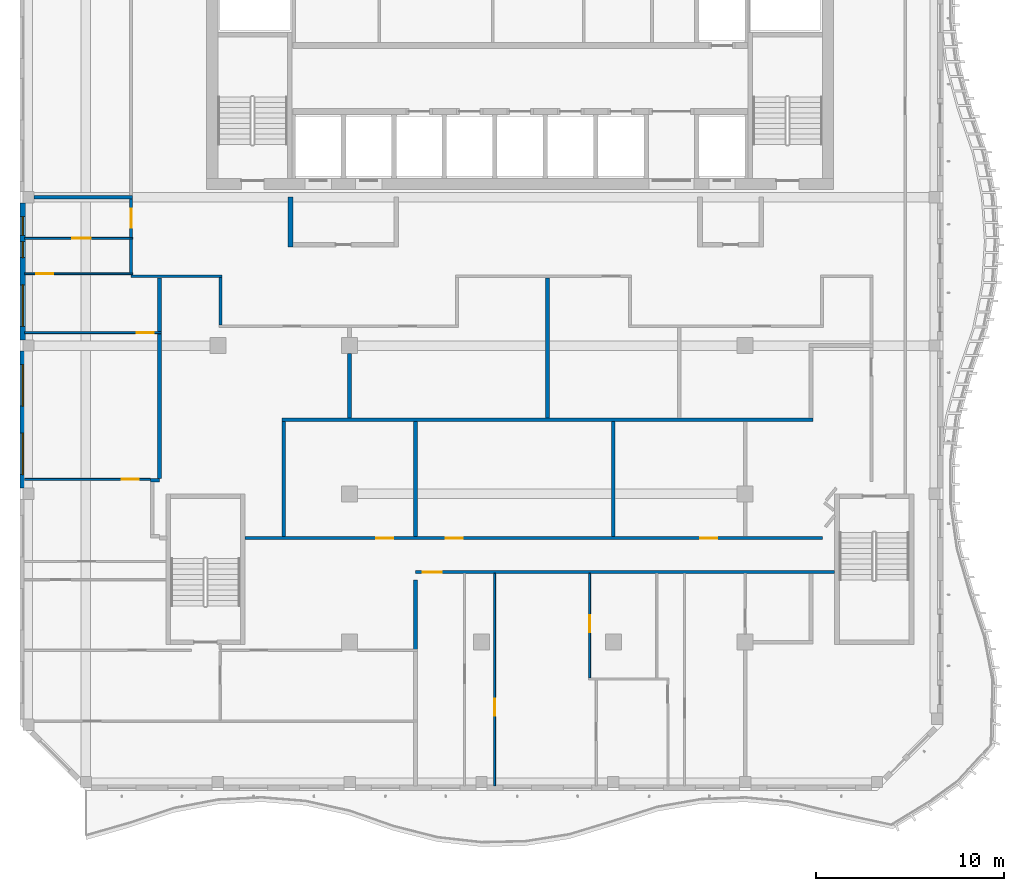
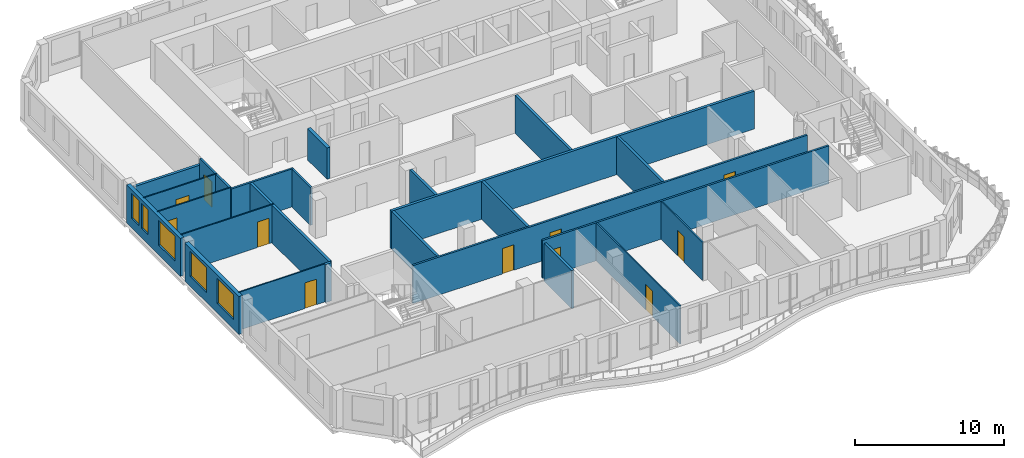
# One storey, part 3 of 17: 26 walls, 11 doors, 5 windows, 16 openings.
"""IFC4 building model written with IfcOpenShell, lengths in metres."""

from ifc_helpers import new_model, si_unit, direction, frame, frame_2d, origin, place, context, subcontext, project, spatial, rectangle, extrude, source, transform, mapped, material, layer, layer_set, type_object, element, fill, save


model = new_model("IFC4")

# Units and contexts
model_context = context("Model", 3, precision=1e-05, world=origin(), true_north=direction((0.0, 1.0)))
body_context = subcontext(model_context, "Body", "Model", "MODEL_VIEW")
ifc_project = project(units=[si_unit("LENGTHUNIT", "METRE"), si_unit("AREAUNIT", "SQUARE_METRE"), si_unit("VOLUMEUNIT", "CUBIC_METRE"), si_unit("PLANEANGLEUNIT", "RADIAN"), si_unit("MASSUNIT", "GRAM", prefix="KILO")], contexts=[model_context])

# Site, building, storey
site_placement = place(None, origin())
site = spatial("IfcSite", under=ifc_project, at=site_placement, CompositionType="ELEMENT")
building_placement = place(site_placement, origin())
building = spatial("IfcBuilding", under=site, at=building_placement, Name="Kilnfold Tower and Market Hall", CompositionType="ELEMENT")
storey_placement = place(building_placement, frame((0.0, 0.0, 305.199951171875)))
storey = spatial("IfcBuildingStorey", under=building, at=storey_placement, Name="L76", CompositionType="ELEMENT", Elevation=305.199951171875)

# Walls
ifc_material_1 = material(Name="Gypsum board on steel studs", Category="steel")
ifc_layer_1 = layer(ifc_material_1, 0.14990234375)
ifc_layer_set_1 = layer_set([ifc_layer_1], Name="Gypsum board on steel studs")
wall_type_1 = type_object("IfcWallType", Name="WALL CORRIDOR 150", PredefinedType="PARTITIONING", material=ifc_layer_set_1)
wall_1_placement = place(storey_placement, frame((-19.60009765625, 3.800048828125, 0.0), z_axis=(0.0, 0.0, 1.0), x_axis=(1.0, 0.0, 0.0)))
element("IfcWall", 1, at=wall_1_placement, inside=storey, type_object=wall_type_1, Name="Partition LY46.1", PredefinedType="PARTITIONING", context=body_context, shape_type="SweptSolid", body=[
    extrude(rectangle(XDim=4.815185546875, YDim=0.14990234375, at=frame_2d((2.40771484375, 0.0))), origin(), (0.0, 0.0, 1.0), 3.1201171875),
])
wall_2_placement = place(storey_placement, frame((-19.60009765625, 3.97802734375, 0.0), z_axis=(0.0, 0.0, 1.0), x_axis=(0.0, 1.0, 0.0)))
element("IfcWall", 2, at=wall_2_placement, inside=storey, type_object=wall_type_1, Name="Partition LY46.2", PredefinedType="PARTITIONING", context=body_context, shape_type="SweptSolid", body=[
    extrude(rectangle(XDim=1.7939453125, YDim=0.14990234375, at=frame_2d((0.89697265625, 0.0))), origin(), (0.0, 0.0, 1.0), 3.1201171875),
])

# Wall, opening, door
wall_3_placement = place(storey_placement, frame((-19.60009765625, 5.85205078125, 0.0), z_axis=(0.0, 0.0, 1.0), x_axis=(0.0, 1.0, 0.0)))
wall_3 = element("IfcWall", 3, at=wall_3_placement, inside=storey, type_object=wall_type_1, Name="Partition LY46.3", PredefinedType="PARTITIONING", context=body_context, shape_type="SweptSolid", body=[
    extrude(rectangle(XDim=2.057861328125, YDim=0.14990234375, at=frame_2d((1.02880859375, 0.0))), origin(), (0.0, 0.0, 1.0), 3.1201171875),
])
opening_1_placement = place(wall_3_placement, frame((0.529052734375, 0.0, 0.0)))
opening_1 = element("IfcOpeningElement", 4, at=opening_1_placement, cuts=wall_3, Name="Opening D1", PredefinedType="OPENING", context=body_context, shape_type="SweptSolid", body=[
    extrude(rectangle(XDim=1.0, YDim=2.10009765625, at=frame_2d((0.5, 1.050048828125))), frame((0.0, 0.0849609375, 0.0), z_axis=(0.0, -1.0, 0.0), x_axis=(1.0, 0.0, 0.0)), (0.0, 0.0, 1.0), 0.169921875),
])
ifc_material_2 = material(Name="Timber veneer door leaf in steel frame", Category="steel")
door_type_1 = type_object("IfcDoorType", Name="DOOR ENTRY 1000 X2100", OperationType="NOTDEFINED", PredefinedType="DOOR", material=ifc_material_2)
door_1_placement = place(opening_1_placement, origin())
door_1 = element("IfcDoor", 5, at=door_1_placement, inside=storey, type_object=door_type_1, Name="Door D1", OperationType="SINGLE_SWING_RIGHT", OverallHeight=2.10009765625, OverallWidth=1.0, PredefinedType="DOOR", context=body_context, shape_type="SweptSolid", body=[
    extrude(rectangle(XDim=1.0, YDim=2.10009765625, at=frame_2d((0.5, 1.050048828125))), frame((0.0, 0.02490234375, 0.0), z_axis=(0.0, -1.0, 0.0), x_axis=(1.0, 0.0, 0.0)), (0.0, 0.0, 1.0), 0.050048828125),
])
fill(opening_1, door_1)

wall_4_placement = place(storey_placement, frame((-4.510009765625, -11.89990234375, 0.0), z_axis=(0.0, 0.0, 1.0), x_axis=(1.0, 0.0, 0.0)))
wall_4 = element("IfcWall", 6, at=wall_4_placement, inside=storey, type_object=wall_type_1, Name="Partition LY46.4", PredefinedType="PARTITIONING", context=body_context, shape_type="SweptSolid", body=[
    extrude(rectangle(XDim=22.260009765625, YDim=0.14990234375, at=frame_2d((11.1298828125, 0.0))), origin(), (0.0, 0.0, 1.0), 3.1201171875),
])
opening_2_placement = place(wall_4_placement, frame((0.403076171875, 0.0, 0.0)))
opening_2 = element("IfcOpeningElement", 7, at=opening_2_placement, cuts=wall_4, Name="Opening D1", PredefinedType="OPENING", context=body_context, shape_type="SweptSolid", body=[
    extrude(rectangle(XDim=1.0, YDim=2.10009765625, at=frame_2d((0.5, 1.050048828125))), frame((0.0, 0.0849609375, 0.0), z_axis=(0.0, -1.0, 0.0), x_axis=(1.0, 0.0, 0.0)), (0.0, 0.0, 1.0), 0.169921875),
])
door_2_placement = place(opening_2_placement, origin())
door_2 = element("IfcDoor", 8, at=door_2_placement, inside=storey, type_object=door_type_1, Name="Door D1", OperationType="SINGLE_SWING_LEFT", OverallHeight=2.10009765625, OverallWidth=1.0, PredefinedType="DOOR", context=body_context, shape_type="SweptSolid", body=[
    extrude(rectangle(XDim=1.0, YDim=2.10009765625, at=frame_2d((0.5, 1.050048828125))), frame((0.0, 0.02490234375, 0.0), z_axis=(0.0, -1.0, 0.0), x_axis=(1.0, 0.0, 0.0)), (0.0, 0.0, 1.0), 0.050048828125),
])
fill(opening_2, door_2)

# Wall
wall_5_placement = place(storey_placement, frame((-14.860107421875, 3.72509765625, 0.0), z_axis=(0.0, 0.0, 1.0), x_axis=(0.0, -1.0, 0.0)))
element("IfcWall", 9, at=wall_5_placement, inside=storey, type_object=wall_type_1, Name="Partition LY46.11", PredefinedType="PARTITIONING", context=body_context, shape_type="SweptSolid", body=[
    extrude(rectangle(XDim=2.5, YDim=0.14990234375, at=frame_2d((1.25, 0.0))), origin(), (0.0, 0.0, 1.0), 3.1201171875),
])

# Wall, openings, doors
wall_6_placement = place(storey_placement, frame((-13.550048828125, -10.10009765625, 0.0), z_axis=(0.0, 0.0, 1.0), x_axis=(1.0, 0.0, 0.0)))
wall_6 = element("IfcWall", 10, at=wall_6_placement, inside=storey, type_object=wall_type_1, Name="Partition LY46.12", PredefinedType="PARTITIONING", context=body_context, shape_type="SweptSolid", body=[
    extrude(rectangle(XDim=30.650146484375, YDim=0.14990234375, at=frame_2d((15.3251953125, 0.0))), origin(), (0.0, 0.0, 1.0), 3.1201171875),
])
opening_3_placement = place(wall_6_placement, frame((6.9560546875, 0.0, 0.0)))
opening_3 = element("IfcOpeningElement", 11, at=opening_3_placement, cuts=wall_6, Name="Opening D2", PredefinedType="OPENING", context=body_context, shape_type="SweptSolid", body=[
    extrude(rectangle(XDim=0.89990234375, YDim=2.10009765625, at=frame_2d((0.449951171875, 1.050048828125))), frame((0.0, 0.0849609375, 0.0), z_axis=(0.0, -1.0, 0.0), x_axis=(1.0, 0.0, 0.0)), (0.0, 0.0, 1.0), 0.169921875),
])
opening_4_placement = place(wall_6_placement, frame((10.64306640625, 0.0, 0.0)))
opening_4 = element("IfcOpeningElement", 12, at=opening_4_placement, cuts=wall_6, Name="Opening D2", PredefinedType="OPENING", context=body_context, shape_type="SweptSolid", body=[
    extrude(rectangle(XDim=0.89990234375, YDim=2.10009765625, at=frame_2d((0.449951171875, 1.050048828125))), frame((0.0, 0.0849609375, 0.0), z_axis=(0.0, -1.0, 0.0), x_axis=(1.0, 0.0, 0.0)), (0.0, 0.0, 1.0), 0.169921875),
])
opening_5_placement = place(wall_6_placement, frame((24.155029296875, 0.0, 0.0)))
opening_5 = element("IfcOpeningElement", 13, at=opening_5_placement, cuts=wall_6, Name="Opening D2", PredefinedType="OPENING", context=body_context, shape_type="SweptSolid", body=[
    extrude(rectangle(XDim=0.89990234375, YDim=2.10009765625, at=frame_2d((0.449951171875, 1.050048828125))), frame((0.0, 0.0849609375, 0.0), z_axis=(0.0, -1.0, 0.0), x_axis=(1.0, 0.0, 0.0)), (0.0, 0.0, 1.0), 0.169921875),
])
ifc_material_3 = material(Name="Timber veneer door leaf in steel frame", Category="steel")
door_type_2 = type_object("IfcDoorType", Name="DOOR ROOM 900 X2100", OperationType="NOTDEFINED", PredefinedType="DOOR", material=ifc_material_3)
door_3_placement = place(opening_3_placement, origin())
door_3 = element("IfcDoor", 14, at=door_3_placement, inside=storey, type_object=door_type_2, Name="Door D2", OperationType="SINGLE_SWING_LEFT", OverallHeight=2.10009765625, OverallWidth=0.89990234375, PredefinedType="DOOR", context=body_context, shape_type="SweptSolid", body=[
    extrude(rectangle(XDim=0.89990234375, YDim=2.10009765625, at=frame_2d((0.449951171875, 1.050048828125))), frame((0.0, 0.02490234375, 0.0), z_axis=(0.0, -1.0, 0.0), x_axis=(1.0, 0.0, 0.0)), (0.0, 0.0, 1.0), 0.050048828125),
])
fill(opening_3, door_3)
door_4_placement = place(opening_4_placement, origin())
door_4 = element("IfcDoor", 15, at=door_4_placement, inside=storey, type_object=door_type_2, Name="Door D2", OperationType="SINGLE_SWING_LEFT", OverallHeight=2.10009765625, OverallWidth=0.89990234375, PredefinedType="DOOR", context=body_context, shape_type="SweptSolid", body=[
    extrude(rectangle(XDim=0.89990234375, YDim=2.10009765625, at=frame_2d((0.449951171875, 1.050048828125))), frame((0.0, 0.02490234375, 0.0), z_axis=(0.0, -1.0, 0.0), x_axis=(1.0, 0.0, 0.0)), (0.0, 0.0, 1.0), 0.050048828125),
])
fill(opening_4, door_4)
door_5_placement = place(opening_5_placement, origin())
door_5 = element("IfcDoor", 16, at=door_5_placement, inside=storey, type_object=door_type_2, Name="Door D2", OperationType="SINGLE_SWING_RIGHT", OverallHeight=2.10009765625, OverallWidth=0.89990234375, PredefinedType="DOOR", context=body_context, shape_type="SweptSolid", body=[
    extrude(rectangle(XDim=0.89990234375, YDim=2.10009765625, at=frame_2d((0.449951171875, 1.050048828125))), frame((0.0, 0.02490234375, 0.0), z_axis=(0.0, -1.0, 0.0), x_axis=(1.0, 0.0, 0.0)), (0.0, 0.0, 1.0), 0.050048828125),
])
fill(opening_5, door_5)

# Wall, opening, door
ifc_material_4 = material(Name="Gypsum board on steel studs", Category="steel")
ifc_layer_2 = layer(ifc_material_4, 0.10009765625)
ifc_layer_set_2 = layer_set([ifc_layer_2], Name="Gypsum board on steel studs")
wall_type_2 = type_object("IfcWallType", Name="WALL PARTITION 100", PredefinedType="PARTITIONING", material=ifc_layer_set_2)
wall_7_placement = place(storey_placement, frame((-18.58203125, -6.98095703125, 0.0), z_axis=(0.0, 0.0, 1.0), x_axis=(-1.0, 0.0, 0.0)))
wall_7 = element("IfcWall", 17, at=wall_7_placement, inside=storey, type_object=wall_type_2, Name="Partition LY46.35", PredefinedType="PARTITIONING", context=body_context, shape_type="SweptSolid", body=[
    extrude(rectangle(XDim=6.66796875, YDim=0.10009765625, at=frame_2d((3.333984375, 0.0))), origin(), (0.0, 0.0, 1.0), 3.1201171875),
])
opening_6_placement = place(wall_7_placement, frame((0.6259765625, 0.0, 0.0)))
opening_6 = element("IfcOpeningElement", 18, at=opening_6_placement, cuts=wall_7, Name="Opening D2", PredefinedType="OPENING", context=body_context, shape_type="SweptSolid", body=[
    extrude(rectangle(XDim=0.89990234375, YDim=2.10009765625, at=frame_2d((0.449951171875, 1.050048828125))), frame((0.0, 0.06005859375, 0.0), z_axis=(0.0, -1.0, 0.0), x_axis=(1.0, 0.0, 0.0)), (0.0, 0.0, 1.0), 0.1201171875),
])
door_6_placement = place(opening_6_placement, origin())
door_6 = element("IfcDoor", 19, at=door_6_placement, inside=storey, type_object=door_type_2, Name="Door D2", OperationType="SINGLE_SWING_RIGHT", OverallHeight=2.10009765625, OverallWidth=0.89990234375, PredefinedType="DOOR", context=body_context, shape_type="SweptSolid", body=[
    extrude(rectangle(XDim=0.89990234375, YDim=2.10009765625, at=frame_2d((0.449951171875, 1.050048828125))), frame((0.0, 0.02490234375, 0.0), z_axis=(0.0, -1.0, 0.0), x_axis=(1.0, 0.0, 0.0)), (0.0, 0.0, 1.0), 0.050048828125),
])
fill(opening_6, door_6)

wall_8_placement = place(storey_placement, frame((-18.0, 0.81201171875, 0.0), z_axis=(0.0, 0.0, 1.0), x_axis=(-1.0, 0.0, 0.0)))
wall_8 = element("IfcWall", 20, at=wall_8_placement, inside=storey, type_object=wall_type_2, Name="Partition LY46.40", PredefinedType="PARTITIONING", context=body_context, shape_type="SweptSolid", body=[
    extrude(rectangle(XDim=7.25, YDim=0.10009765625, at=frame_2d((3.625, 0.0))), origin(), (0.0, 0.0, 1.0), 3.1201171875),
])
opening_7_placement = place(wall_8_placement, frame((0.402099609375, 0.0, 0.0)))
opening_7 = element("IfcOpeningElement", 21, at=opening_7_placement, cuts=wall_8, Name="Opening D2", PredefinedType="OPENING", context=body_context, shape_type="SweptSolid", body=[
    extrude(rectangle(XDim=0.89990234375, YDim=2.10009765625, at=frame_2d((0.449951171875, 1.050048828125))), frame((0.0, 0.06005859375, 0.0), z_axis=(0.0, -1.0, 0.0), x_axis=(1.0, 0.0, 0.0)), (0.0, 0.0, 1.0), 0.1201171875),
])
door_7_placement = place(opening_7_placement, origin())
door_7 = element("IfcDoor", 22, at=door_7_placement, inside=storey, type_object=door_type_2, Name="Door D2", OperationType="SINGLE_SWING_RIGHT", OverallHeight=2.10009765625, OverallWidth=0.89990234375, PredefinedType="DOOR", context=body_context, shape_type="SweptSolid", body=[
    extrude(rectangle(XDim=0.89990234375, YDim=2.10009765625, at=frame_2d((0.449951171875, 1.050048828125))), frame((0.0, 0.02490234375, 0.0), z_axis=(0.0, -1.0, 0.0), x_axis=(1.0, 0.0, 0.0)), (0.0, 0.0, 1.0), 0.050048828125),
])
fill(opening_7, door_7)

wall_9_placement = place(storey_placement, frame((-19.527099609375, 3.93798828125, 0.0), z_axis=(0.0, 0.0, 1.0), x_axis=(-1.0, 0.0, 0.0)))
wall_9 = element("IfcWall", 23, at=wall_9_placement, inside=storey, type_object=wall_type_2, Name="Partition LY46.42", PredefinedType="PARTITIONING", context=body_context, shape_type="SweptSolid", body=[
    extrude(rectangle(XDim=5.722900390625, YDim=0.10009765625, at=frame_2d((2.861328125, 0.0))), origin(), (0.0, 0.0, 1.0), 3.1201171875),
])
opening_8_placement = place(wall_9_placement, frame((4.220947265625, 0.0, 0.0)))
opening_8 = element("IfcOpeningElement", 24, at=opening_8_placement, cuts=wall_9, Name="Opening D2", PredefinedType="OPENING", context=body_context, shape_type="SweptSolid", body=[
    extrude(rectangle(XDim=0.89990234375, YDim=2.10009765625, at=frame_2d((0.449951171875, 1.050048828125))), frame((0.0, 0.06005859375, 0.0), z_axis=(0.0, -1.0, 0.0), x_axis=(1.0, 0.0, 0.0)), (0.0, 0.0, 1.0), 0.1201171875),
])
door_8_placement = place(opening_8_placement, origin())
door_8 = element("IfcDoor", 25, at=door_8_placement, inside=storey, type_object=door_type_2, Name="Door D2", OperationType="SINGLE_SWING_RIGHT", OverallHeight=2.10009765625, OverallWidth=0.89990234375, PredefinedType="DOOR", context=body_context, shape_type="SweptSolid", body=[
    extrude(rectangle(XDim=0.89990234375, YDim=2.10009765625, at=frame_2d((0.449951171875, 1.050048828125))), frame((0.0, 0.02490234375, 0.0), z_axis=(0.0, -1.0, 0.0), x_axis=(1.0, 0.0, 0.0)), (0.0, 0.0, 1.0), 0.050048828125),
])
fill(opening_8, door_8)

wall_10_placement = place(storey_placement, frame((-19.527099609375, 5.81201171875, 0.0), z_axis=(0.0, 0.0, 1.0), x_axis=(-1.0, 0.0, 0.0)))
wall_10 = element("IfcWall", 26, at=wall_10_placement, inside=storey, type_object=wall_type_2, Name="Partition LY46.44", PredefinedType="PARTITIONING", context=body_context, shape_type="SweptSolid", body=[
    extrude(rectangle(XDim=5.722900390625, YDim=0.10009765625, at=frame_2d((2.861328125, 0.0))), origin(), (0.0, 0.0, 1.0), 3.1201171875),
])
opening_9_placement = place(wall_10_placement, frame((2.2109375, 0.0, 0.0)))
opening_9 = element("IfcOpeningElement", 27, at=opening_9_placement, cuts=wall_10, Name="Opening D1", PredefinedType="OPENING", context=body_context, shape_type="SweptSolid", body=[
    extrude(rectangle(XDim=1.0, YDim=2.10009765625, at=frame_2d((0.5, 1.050048828125))), frame((0.0, 0.06005859375, 0.0), z_axis=(0.0, -1.0, 0.0), x_axis=(1.0, 0.0, 0.0)), (0.0, 0.0, 1.0), 0.1201171875),
])
door_9_placement = place(opening_9_placement, origin())
door_9 = element("IfcDoor", 28, at=door_9_placement, inside=storey, type_object=door_type_1, Name="Door D1", OperationType="SINGLE_SWING_RIGHT", OverallHeight=2.10009765625, OverallWidth=1.0, PredefinedType="DOOR", context=body_context, shape_type="SweptSolid", body=[
    extrude(rectangle(XDim=1.0, YDim=2.10009765625, at=frame_2d((0.5, 1.050048828125))), frame((0.0, 0.02490234375, 0.0), z_axis=(0.0, -1.0, 0.0), x_axis=(1.0, 0.0, 0.0)), (0.0, 0.0, 1.0), 0.050048828125),
])
fill(opening_9, door_9)

wall_11_placement = place(storey_placement, frame((-0.300048828125, -23.25, 0.0), z_axis=(0.0, 0.0, 1.0), x_axis=(0.0, 1.0, 0.0)))
wall_11 = element("IfcWall", 29, at=wall_11_placement, inside=storey, type_object=wall_type_2, Name="Partition LY46.47", PredefinedType="PARTITIONING", context=body_context, shape_type="SweptSolid", body=[
    extrude(rectangle(XDim=11.27294921875, YDim=0.10009765625, at=frame_2d((5.636474609375, 0.0))), origin(), (0.0, 0.0, 1.0), 3.1201171875),
])
opening_10_placement = place(wall_11_placement, frame((3.72607421875, 0.0, 0.0)))
opening_10 = element("IfcOpeningElement", 30, at=opening_10_placement, cuts=wall_11, Name="Opening D2", PredefinedType="OPENING", context=body_context, shape_type="SweptSolid", body=[
    extrude(rectangle(XDim=0.89990234375, YDim=2.10009765625, at=frame_2d((0.449951171875, 1.050048828125))), frame((0.0, 0.06005859375, 0.0), z_axis=(0.0, -1.0, 0.0), x_axis=(1.0, 0.0, 0.0)), (0.0, 0.0, 1.0), 0.1201171875),
])
door_10_placement = place(opening_10_placement, origin())
door_10 = element("IfcDoor", 31, at=door_10_placement, inside=storey, type_object=door_type_2, Name="Door D2", OperationType="SINGLE_SWING_RIGHT", OverallHeight=2.10009765625, OverallWidth=0.89990234375, PredefinedType="DOOR", context=body_context, shape_type="SweptSolid", body=[
    extrude(rectangle(XDim=0.89990234375, YDim=2.10009765625, at=frame_2d((0.449951171875, 1.050048828125))), frame((0.0, 0.02490234375, 0.0), z_axis=(0.0, -1.0, 0.0), x_axis=(1.0, 0.0, 0.0)), (0.0, 0.0, 1.0), 0.050048828125),
])
fill(opening_10, door_10)

wall_12_placement = place(storey_placement, frame((4.739990234375, -17.52587890625, 0.0), z_axis=(0.0, 0.0, 1.0), x_axis=(0.0, 1.0, 0.0)))
wall_12 = element("IfcWall", 32, at=wall_12_placement, inside=storey, type_object=wall_type_2, Name="Partition LY46.49", PredefinedType="PARTITIONING", context=body_context, shape_type="SweptSolid", body=[
    extrude(rectangle(XDim=5.548828125, YDim=0.10009765625, at=frame_2d((2.7744140625, 0.0))), origin(), (0.0, 0.0, 1.0), 3.1201171875),
])
opening_11_placement = place(wall_12_placement, frame((2.426025390625, 0.0, 0.0)))
opening_11 = element("IfcOpeningElement", 33, at=opening_11_placement, cuts=wall_12, Name="Opening D2", PredefinedType="OPENING", context=body_context, shape_type="SweptSolid", body=[
    extrude(rectangle(XDim=0.89990234375, YDim=2.10009765625, at=frame_2d((0.449951171875, 1.050048828125))), frame((0.0, 0.06005859375, 0.0), z_axis=(0.0, -1.0, 0.0), x_axis=(1.0, 0.0, 0.0)), (0.0, 0.0, 1.0), 0.1201171875),
])
door_11_placement = place(opening_11_placement, origin())
door_11 = element("IfcDoor", 34, at=door_11_placement, inside=storey, type_object=door_type_2, Name="Door D2", OperationType="SINGLE_SWING_LEFT", OverallHeight=2.10009765625, OverallWidth=0.89990234375, PredefinedType="DOOR", context=body_context, shape_type="SweptSolid", body=[
    extrude(rectangle(XDim=0.89990234375, YDim=2.10009765625, at=frame_2d((0.449951171875, 1.050048828125))), frame((0.0, 0.02490234375, 0.0), z_axis=(0.0, -1.0, 0.0), x_axis=(1.0, 0.0, 0.0)), (0.0, 0.0, 1.0), 0.050048828125),
])
fill(opening_11, door_11)

# Walls
ifc_material_5 = material(Name="Gypsum board on steel studs", Category="steel")
ifc_layer_3 = layer(ifc_material_5, 0.199951171875)
ifc_layer_set_3 = layer_set([ifc_layer_3], Name="Gypsum board on steel studs")
wall_type_3 = type_object("IfcWallType", Name="WALL PARTY 200", PredefinedType="PARTITIONING", material=ifc_layer_set_3)
wall_13_placement = place(storey_placement, frame((-4.5, -16.011962890625, 0.0), z_axis=(0.0, 0.0, 1.0), x_axis=(0.0, 1.0, 0.0)))
element("IfcWall", 35, at=wall_13_placement, inside=storey, type_object=wall_type_3, Name="Partition LY46.33", PredefinedType="PARTITIONING", context=body_context, shape_type="SweptSolid", body=[
    extrude(rectangle(XDim=3.699951171875, YDim=0.199951171875, at=frame_2d((1.85009765625, 0.0))), origin(), (0.0, 0.0, 1.0), 3.1201171875),
])
wall_14_placement = place(storey_placement, frame((-18.58203125, -7.029052734375, 0.0), z_axis=(0.0, 0.0, 1.0), x_axis=(1.0, 0.0, 0.0)))
element("IfcWall", 36, at=wall_14_placement, inside=storey, type_object=wall_type_3, Name="Partition LY46.36", PredefinedType="PARTITIONING", context=body_context, shape_type="SweptSolid", body=[
    extrude(rectangle(XDim=0.48193359375, YDim=0.199951171875, at=frame_2d((0.240966796875, 0.0))), origin(), (0.0, 0.0, 1.0), 3.1201171875),
])
wall_15_placement = place(storey_placement, frame((-18.10009765625, -6.930908203125, 0.0), z_axis=(0.0, 0.0, 1.0), x_axis=(0.0, 1.0, 0.0)))
element("IfcWall", 37, at=wall_15_placement, inside=storey, type_object=wall_type_3, Name="Partition LY46.41", PredefinedType="PARTITIONING", context=body_context, shape_type="SweptSolid", body=[
    extrude(rectangle(XDim=7.69287109375, YDim=0.199951171875, at=frame_2d((3.846435546875, 0.0))), origin(), (0.0, 0.0, 1.0), 3.1201171875),
])
wall_16_placement = place(storey_placement, frame((-18.10009765625, 0.862060546875, 0.0), z_axis=(0.0, 0.0, 1.0), x_axis=(0.0, 1.0, 0.0)))
element("IfcWall", 38, at=wall_16_placement, inside=storey, type_object=wall_type_3, Name="Partition LY46.43", PredefinedType="PARTITIONING", context=body_context, shape_type="SweptSolid", body=[
    extrude(rectangle(XDim=2.86083984375, YDim=0.199951171875, at=frame_2d((1.430419921875, 0.0))), origin(), (0.0, 0.0, 1.0), 3.1201171875),
])
wall_17_placement = place(storey_placement, frame((-19.527099609375, 8.0, 0.0), z_axis=(0.0, 0.0, 1.0), x_axis=(-1.0, 0.0, 0.0)))
element("IfcWall", 39, at=wall_17_placement, inside=storey, type_object=wall_type_3, Name="Partition LY46.45", PredefinedType="PARTITIONING", context=body_context, shape_type="SweptSolid", body=[
    extrude(rectangle(XDim=5.222900390625, YDim=0.199951171875, at=frame_2d((2.611328125, 0.0))), origin(), (0.0, 0.0, 1.0), 2.570068359375),
])
wall_18_placement = place(storey_placement, frame((-8.0, -3.7119140625, 0.0), z_axis=(0.0, 0.0, 1.0), x_axis=(0.0, 1.0, 0.0)))
element("IfcWall", 40, at=wall_18_placement, inside=storey, type_object=wall_type_3, Name="Partition LY46.61", PredefinedType="PARTITIONING", context=body_context, shape_type="SweptSolid", body=[
    extrude(rectangle(XDim=3.411865234375, YDim=0.199951171875, at=frame_2d((1.7060546875, 0.0))), origin(), (0.0, 0.0, 1.0), 3.1201171875),
])
wall_19_placement = place(storey_placement, frame((-11.60009765625, -3.81201171875, 0.0), z_axis=(0.0, 0.0, 1.0), x_axis=(1.0, 0.0, 0.0)))
element("IfcWall", 41, at=wall_19_placement, inside=storey, type_object=wall_type_3, Name="Partition LY46.62", PredefinedType="PARTITIONING", context=body_context, shape_type="SweptSolid", body=[
    extrude(rectangle(XDim=28.2001953125, YDim=0.199951171875, at=frame_2d((14.10009765625, 0.0))), origin(), (0.0, 0.0, 1.0), 3.1201171875),
])
wall_20_placement = place(storey_placement, frame((-11.5, -10.02294921875, 0.0), z_axis=(0.0, 0.0, 1.0), x_axis=(0.0, 1.0, 0.0)))
element("IfcWall", 42, at=wall_20_placement, inside=storey, type_object=wall_type_3, Name="Partition LY46.63", PredefinedType="PARTITIONING", context=body_context, shape_type="SweptSolid", body=[
    extrude(rectangle(XDim=6.11083984375, YDim=0.199951171875, at=frame_2d((3.055419921875, 0.0))), origin(), (0.0, 0.0, 1.0), 3.1201171875),
])
wall_21_placement = place(storey_placement, frame((2.5, -3.7119140625, 0.0), z_axis=(0.0, 0.0, 1.0), x_axis=(0.0, 1.0, 0.0)))
element("IfcWall", 43, at=wall_21_placement, inside=storey, type_object=wall_type_3, Name="Partition LY46.64", PredefinedType="PARTITIONING", context=body_context, shape_type="SweptSolid", body=[
    extrude(rectangle(XDim=7.434814453125, YDim=0.199951171875, at=frame_2d((3.71728515625, 0.0))), origin(), (0.0, 0.0, 1.0), 3.1201171875),
])
for number, where, z_axis, x_axis, name in (
    (44, (-4.5, -10.02294921875, 0.0), (0.0, 0.0, 1.0), (0.0, 1.0, 0.0), "Partition LY46.65"),
    (45, (6.0, -10.02294921875, 0.0), (0.0, 0.0, 1.0), (0.0, 1.0, 0.0), "Partition LY46.66"),
):
    element("IfcWall", number, at=place(storey_placement, frame(where, z_axis=z_axis, x_axis=x_axis)), inside=storey, type_object=wall_type_3, Name=name, PredefinedType="PARTITIONING", context=body_context, shape_type="SweptSolid", body=[
        extrude(rectangle(XDim=6.11083984375, YDim=0.199951171875, at=frame_2d((3.055419921875, 0.0))), origin(), (0.0, 0.0, 1.0), 3.1201171875),
    ])

# Wall, openings, windows
ifc_material_6 = material(Name="Precast concrete C50/60", Category="concrete")
ifc_layer_4 = layer(ifc_material_6, 0.300048828125)
ifc_layer_set_4 = layer_set([ifc_layer_4], Name="Precast concrete C50/60")
wall_type_4 = type_object("IfcWallType", Name="PRECAST WALL 300", PredefinedType="SOLIDWALL", material=ifc_layer_set_4)
shared_shape_1 = source(origin(), body_context, "Body", "SweptSolid", [
    extrude(rectangle(XDim=7.27490234375, YDim=0.300048828125, at=frame_2d((3.637451171875, 0.0))), origin(), (0.0, 0.0, 1.0), 3.1201171875),
])
wall_22_placement = place(storey_placement, frame((-25.35009765625, 7.699951171875, 0.0), z_axis=(0.0, 0.0, 1.0), x_axis=(0.0, -1.0, 0.0)))
wall_22 = element("IfcWall", 46, at=wall_22_placement, inside=storey, type_object=wall_type_4, Name="External wall L76 W", PredefinedType="SOLIDWALL", context=body_context, shape_type="MappedRepresentation", body=[
    mapped(shared_shape_1, transform((0.0, 0.0, 0.0))),
])
opening_12_placement = place(wall_22_placement, frame((0.728271484375, 0.0, 0.800048828125)))
opening_12 = element("IfcOpeningElement", 47, at=opening_12_placement, cuts=wall_22, Name="Opening W3-A", PredefinedType="OPENING", context=body_context, shape_type="SweptSolid", body=[
    extrude(rectangle(XDim=1.0, YDim=2.050048828125, at=frame_2d((0.5, 1.02490234375))), frame((0.0, 0.16015625, 0.0), z_axis=(0.0, -1.0, 0.0), x_axis=(1.0, 0.0, 0.0)), (0.0, 0.0, 1.0), 0.320068359375),
])
opening_13_placement = place(wall_22_placement, frame((4.356201171875, 0.0, 0.800048828125)))
opening_13 = element("IfcOpeningElement", 48, at=opening_13_placement, cuts=wall_22, Name="Opening W3", PredefinedType="OPENING", context=body_context, shape_type="SweptSolid", body=[
    extrude(rectangle(XDim=2.199951171875, YDim=2.050048828125, at=frame_2d((1.10009765625, 1.02490234375))), frame((0.0, 0.16015625, 0.0), z_axis=(0.0, -1.0, 0.0), x_axis=(1.0, 0.0, 0.0)), (0.0, 0.0, 1.0), 0.320068359375),
])
opening_14_placement = place(wall_22_placement, frame((2.053466796875, 0.0, 0.800048828125)))
opening_14 = element("IfcOpeningElement", 49, at=opening_14_placement, cuts=wall_22, Name="Opening W3-B", PredefinedType="OPENING", context=body_context, shape_type="SweptSolid", body=[
    extrude(rectangle(XDim=0.85009765625, YDim=2.050048828125, at=frame_2d((0.425048828125, 1.02490234375))), frame((0.0, 0.16015625, 0.0), z_axis=(0.0, -1.0, 0.0), x_axis=(1.0, 0.0, 0.0)), (0.0, 0.0, 1.0), 0.320068359375),
])
ifc_material_7 = material(Name="Aluminium frame and double glazing", Category="aluminium")
window_type_1 = type_object("IfcWindowType", Name="WINDOW W3 2200X2050", PartitioningType="SINGLE_PANEL", PredefinedType="WINDOW", material=ifc_material_7)
window_1_placement = place(opening_13_placement, origin())
window_1 = element("IfcWindow", 50, at=window_1_placement, inside=storey, type_object=window_type_1, Name="Window W3 L76 W-2", OverallHeight=2.050048828125, OverallWidth=2.199951171875, PartitioningType="SINGLE_PANEL", PredefinedType="WINDOW", context=body_context, shape_type="SweptSolid", body=[
    extrude(rectangle(XDim=2.199951171875, YDim=2.050048828125, at=frame_2d((1.10009765625, 1.02490234375))), frame((0.0, 0.030029296875, 0.0), z_axis=(0.0, -1.0, 0.0), x_axis=(1.0, 0.0, 0.0)), (0.0, 0.0, 1.0), 0.06005859375),
])
fill(opening_13, window_1)
ifc_material_8 = material(Name="Aluminium frame and double glazing", Category="aluminium")
window_type_2 = type_object("IfcWindowType", Name="WINDOW W3-A 1000X2050", PartitioningType="SINGLE_PANEL", PredefinedType="WINDOW", material=ifc_material_8)
window_2_placement = place(opening_12_placement, origin())
window_2 = element("IfcWindow", 51, at=window_2_placement, inside=storey, type_object=window_type_2, Name="Window W3-A L76 W-1", OverallHeight=2.050048828125, OverallWidth=1.0, PartitioningType="SINGLE_PANEL", PredefinedType="WINDOW", context=body_context, shape_type="SweptSolid", body=[
    extrude(rectangle(XDim=1.0, YDim=2.050048828125, at=frame_2d((0.5, 1.02490234375))), frame((0.0, 0.030029296875, 0.0), z_axis=(0.0, -1.0, 0.0), x_axis=(1.0, 0.0, 0.0)), (0.0, 0.0, 1.0), 0.06005859375),
])
fill(opening_12, window_2)
ifc_material_9 = material(Name="Aluminium frame and double glazing", Category="aluminium")
window_type_3 = type_object("IfcWindowType", Name="WINDOW W3-B 850X2050", PartitioningType="SINGLE_PANEL", PredefinedType="WINDOW", material=ifc_material_9)
window_3_placement = place(opening_14_placement, origin())
window_3 = element("IfcWindow", 52, at=window_3_placement, inside=storey, type_object=window_type_3, Name="Window W3-A L76 W-1", OverallHeight=2.050048828125, OverallWidth=0.85009765625, PartitioningType="SINGLE_PANEL", PredefinedType="WINDOW", context=body_context, shape_type="SweptSolid", body=[
    extrude(rectangle(XDim=0.85009765625, YDim=2.050048828125, at=frame_2d((0.425048828125, 1.02490234375))), frame((0.0, 0.030029296875, 0.0), z_axis=(0.0, -1.0, 0.0), x_axis=(1.0, 0.0, 0.0)), (0.0, 0.0, 1.0), 0.06005859375),
])
fill(opening_14, window_3)

wall_23_placement = place(storey_placement, frame((-25.35009765625, -0.175048828125, 0.0), z_axis=(0.0, 0.0, 1.0), x_axis=(0.0, -1.0, 0.0)))
wall_23 = element("IfcWall", 53, at=wall_23_placement, inside=storey, type_object=wall_type_4, Name="External wall L76 W", PredefinedType="SOLIDWALL", context=body_context, shape_type="MappedRepresentation", body=[
    mapped(shared_shape_1, transform((0.0, 0.0, 0.0))),
])
opening_15_placement = place(wall_23_placement, frame((0.71875, 0.0, 0.800048828125)))
opening_15 = element("IfcOpeningElement", 54, at=opening_15_placement, cuts=wall_23, Name="Opening W3", PredefinedType="OPENING", context=body_context, shape_type="SweptSolid", body=[
    extrude(rectangle(XDim=2.199951171875, YDim=2.050048828125, at=frame_2d((1.10009765625, 1.02490234375))), frame((0.0, 0.16015625, 0.0), z_axis=(0.0, -1.0, 0.0), x_axis=(1.0, 0.0, 0.0)), (0.0, 0.0, 1.0), 0.320068359375),
])
opening_16_placement = place(wall_23_placement, frame((4.356201171875, 0.0, 0.800048828125)))
opening_16 = element("IfcOpeningElement", 55, at=opening_16_placement, cuts=wall_23, Name="Opening W3", PredefinedType="OPENING", context=body_context, shape_type="SweptSolid", body=[
    extrude(rectangle(XDim=2.199951171875, YDim=2.050048828125, at=frame_2d((1.10009765625, 1.02490234375))), frame((0.0, 0.16015625, 0.0), z_axis=(0.0, -1.0, 0.0), x_axis=(1.0, 0.0, 0.0)), (0.0, 0.0, 1.0), 0.320068359375),
])
window_4_placement = place(opening_15_placement, origin())
window_4 = element("IfcWindow", 56, at=window_4_placement, inside=storey, type_object=window_type_1, Name="Window W3 L76 W-1", OverallHeight=2.050048828125, OverallWidth=2.199951171875, PartitioningType="SINGLE_PANEL", PredefinedType="WINDOW", context=body_context, shape_type="SweptSolid", body=[
    extrude(rectangle(XDim=2.199951171875, YDim=2.050048828125, at=frame_2d((1.10009765625, 1.02490234375))), frame((0.0, 0.030029296875, 0.0), z_axis=(0.0, -1.0, 0.0), x_axis=(1.0, 0.0, 0.0)), (0.0, 0.0, 1.0), 0.06005859375),
])
fill(opening_15, window_4)
window_5_placement = place(opening_16_placement, origin())
window_5 = element("IfcWindow", 57, at=window_5_placement, inside=storey, type_object=window_type_1, Name="Window W3 L76 W-2", OverallHeight=2.050048828125, OverallWidth=2.199951171875, PartitioningType="SINGLE_PANEL", PredefinedType="WINDOW", context=body_context, shape_type="SweptSolid", body=[
    extrude(rectangle(XDim=2.199951171875, YDim=2.050048828125, at=frame_2d((1.10009765625, 1.02490234375))), frame((0.0, 0.030029296875, 0.0), z_axis=(0.0, -1.0, 0.0), x_axis=(1.0, 0.0, 0.0)), (0.0, 0.0, 1.0), 0.06005859375),
])
fill(opening_16, window_5)

# Wall
ifc_material_10 = material(Name="Gypsum shaft wall system")
ifc_layer_5 = layer(ifc_material_10, 0.25)
ifc_layer_set_5 = layer_set([ifc_layer_5], Name="Gypsum shaft wall system")
wall_type_5 = type_object("IfcWallType", Name="LOBBY WALL 250", PredefinedType="PARTITIONING", material=ifc_layer_set_5)
shared_shape_2 = source(origin(), body_context, "Body", "SweptSolid", [
    extrude(rectangle(XDim=2.64990234375, YDim=0.25, at=frame_2d((1.324951171875, 0.0))), origin(), (0.0, 0.0, 1.0), 2.570068359375),
])
wall_24_placement = place(storey_placement, frame((-11.135009765625, 5.35009765625, 0.0), z_axis=(0.0, 0.0, 1.0), x_axis=(0.0, 1.0, 0.0)))
element("IfcWall", 58, at=wall_24_placement, inside=storey, type_object=wall_type_5, Name="Firefighting lobby wall", PredefinedType="PARTITIONING", context=body_context, shape_type="MappedRepresentation", body=[
    mapped(shared_shape_2, transform((0.0, 0.0, 0.0))),
])

save(model, "model.ifc")
